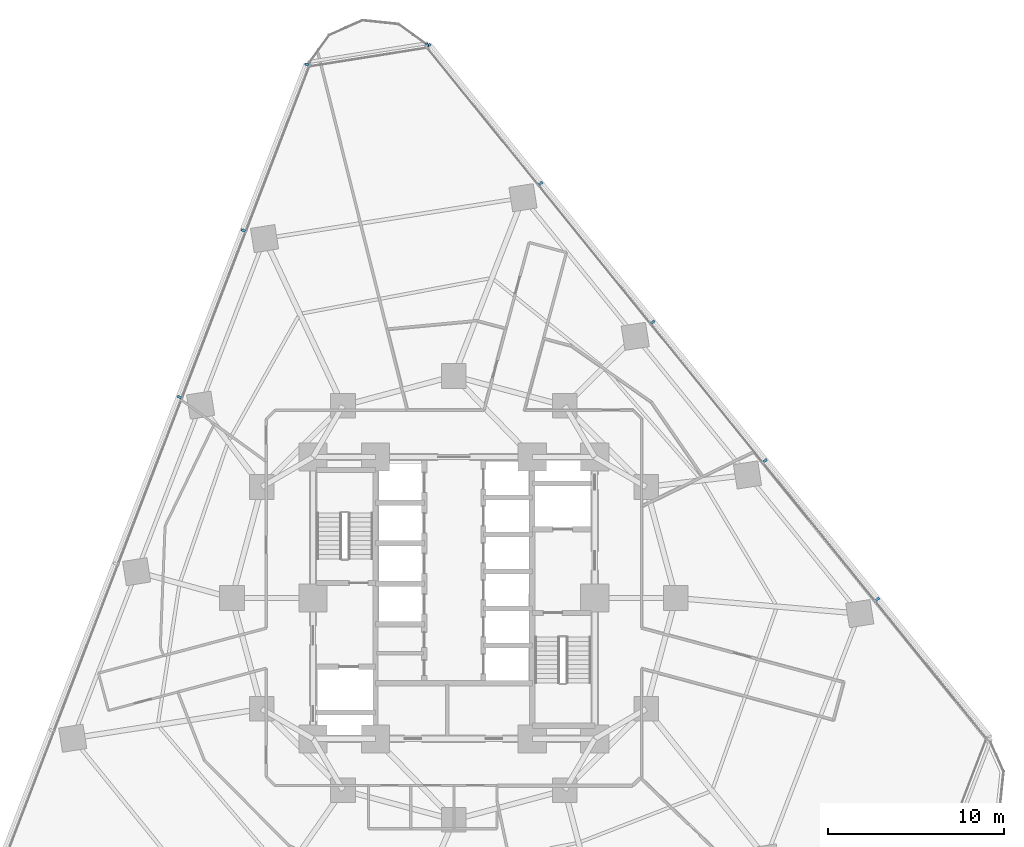
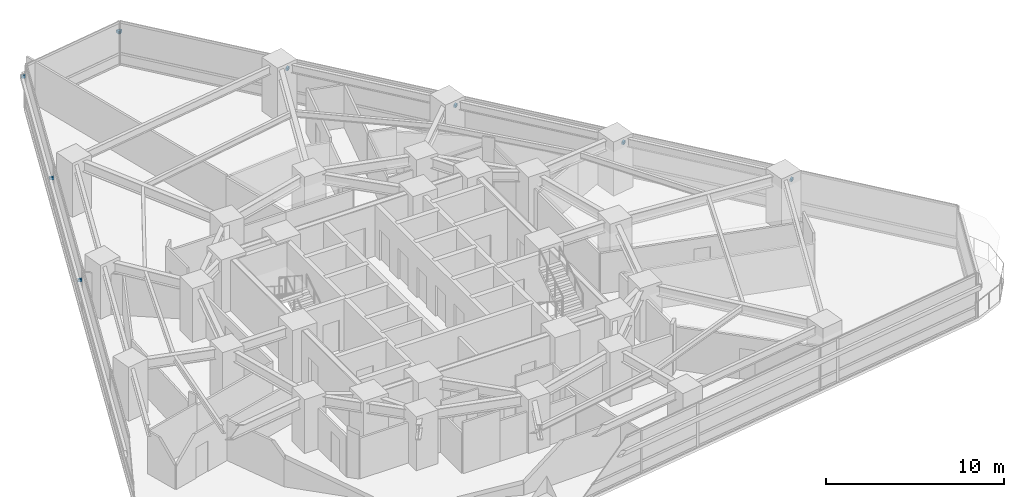
# One storey, part 11 of 14: 9 discrete accessories.
"""IFC4 building model written with IfcOpenShell, lengths in metres."""

from ifc_helpers import new_model, si_unit, direction, frame, origin, origin_2d, place, context, subcontext, project, spatial, rectangle, extrude, material, type_object, element, save


model = new_model("IFC4")

# Units and contexts
model_context = context("Model", 3, precision=1e-05, world=origin(), true_north=direction((0.0, 1.0)))
body_context = subcontext(model_context, "Body", "Model", "MODEL_VIEW")
ifc_project = project(units=[si_unit("LENGTHUNIT", "METRE"), si_unit("AREAUNIT", "SQUARE_METRE"), si_unit("VOLUMEUNIT", "CUBIC_METRE"), si_unit("PLANEANGLEUNIT", "RADIAN"), si_unit("MASSUNIT", "GRAM", prefix="KILO")], contexts=[model_context])

# Site, building, storey
site_placement = place(None, origin())
site = spatial("IfcSite", under=ifc_project, at=site_placement, CompositionType="ELEMENT")
building_placement = place(site_placement, origin())
building = spatial("IfcBuilding", under=site, at=building_placement, Name="Terralouvre Media Tower", CompositionType="ELEMENT")
storey_placement = place(building_placement, frame((0.0, 0.0, 66.699951171875)))
storey = spatial("IfcBuildingStorey", under=building, at=storey_placement, Name="L16", CompositionType="ELEMENT", Elevation=66.699951171875)

# Discrete accessories
ifc_material = material(Name="Anodised extruded aluminium 6063-T6", Category="aluminium")
discrete_accessory_type = type_object("IfcDiscreteAccessoryType", Name="Mullion Stand-Off Baguette Fixing Bracket BK-01", PredefinedType="BRACKET", material=ifc_material)
for number, where, z_axis, x_axis, name in (
    (1, (24.04541015625, -0.076904296875, 2.07421875), (0.0, 0.0, 1.0), (-0.629320350521, 0.777145994276, 0.0), "CW-L16-F1 Baguette Outrigger Bracket 1.02"),
    (2, (17.671630859375, 7.794189453125, 2.07421875), (0.0, 0.0, 1.0), (-0.629320350521, 0.777145994276, 0.0), "CW-L16-F1 Baguette Outrigger Bracket 1.03"),
    (3, (11.2978515625, 15.6650390625, 2.07421875), (0.0, 0.0, 1.0), (-0.629320350521, 0.777145994276, 0.0), "CW-L16-F1 Baguette Outrigger Bracket 1.04"),
    (4, (4.92431640625, 23.535888671875, 2.07421875), (0.0, 0.0, 1.0), (-0.629320350521, 0.777145994276, 0.0), "CW-L16-F1 Baguette Outrigger Bracket 1.05"),
    (5, (-1.426025390625, 31.377685546875, 2.07421875), (0.0, 0.0, 1.0), (-0.629320350521, 0.777145994276, 0.0), "CW-L16-F1 Baguette Outrigger Bracket 1.06"),
    (6, (-8.340087890625, 30.28271484375, 2.07421875), (0.0, 0.0, 1.0), (-0.358367917006, -0.933580438988, 0.0), "CW-L16-F2 Baguette Outrigger Bracket 1.01"),
    (7, (-11.956298828125, 20.8623046875, 2.07421875), (0.0, 0.0, 1.0), (-0.358367917006, -0.933580438988, 0.0), "CW-L16-F2 Baguette Outrigger Bracket 1.02"),
    (8, (-15.585693359375, 11.406982421875, 2.07421875), (0.0, 0.0, 1.0), (-0.358367917006, -0.933580438988, 0.0), "CW-L16-F2 Baguette Outrigger Bracket 1.03"),
    (9, (-1.520751953125, 31.395751953125, 2.07421875), (0.0, 0.0, 1.0), (-0.987688353034, -0.156434386502, 0.0), "CW-L16-C2 Baguette Outrigger Bracket 1.01"),
):
    element("IfcDiscreteAccessory", number, at=place(storey_placement, frame(where, z_axis=z_axis, x_axis=x_axis)), inside=storey, type_object=discrete_accessory_type, Name=name, PredefinedType="BRACKET", context=body_context, shape_type="SweptSolid", body=[
        extrude(rectangle(XDim=0.139892578125, YDim=0.239990234375, at=origin_2d()), origin(), (0.0, 0.0, 1.0), 0.179931640625),
    ])

save(model, "model.ifc")
